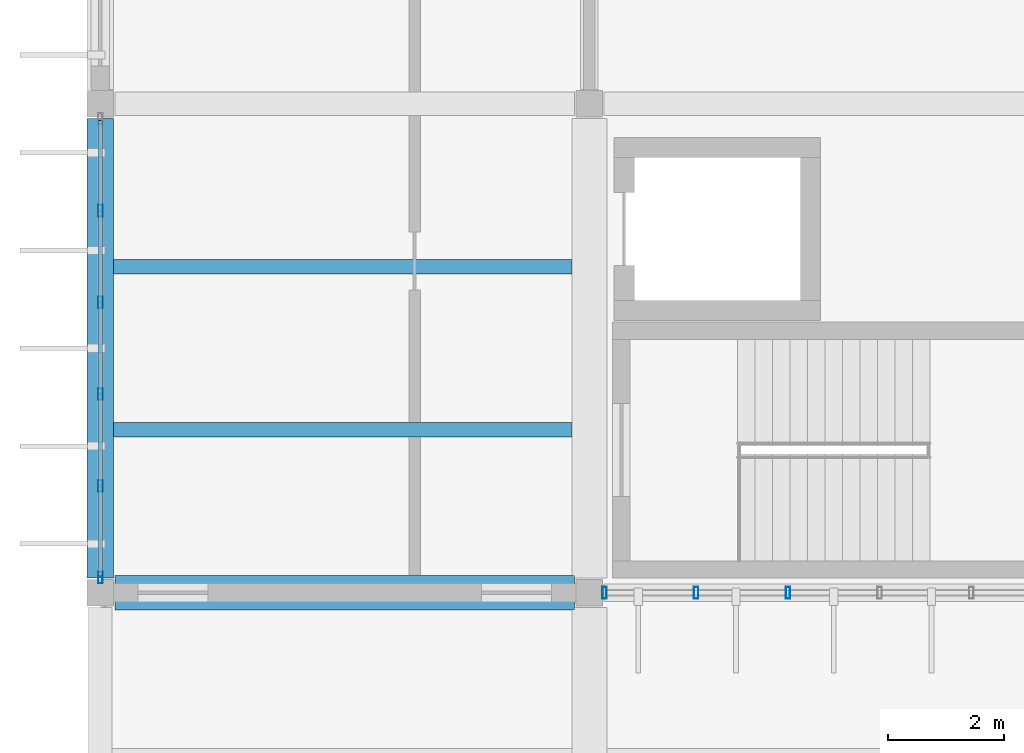
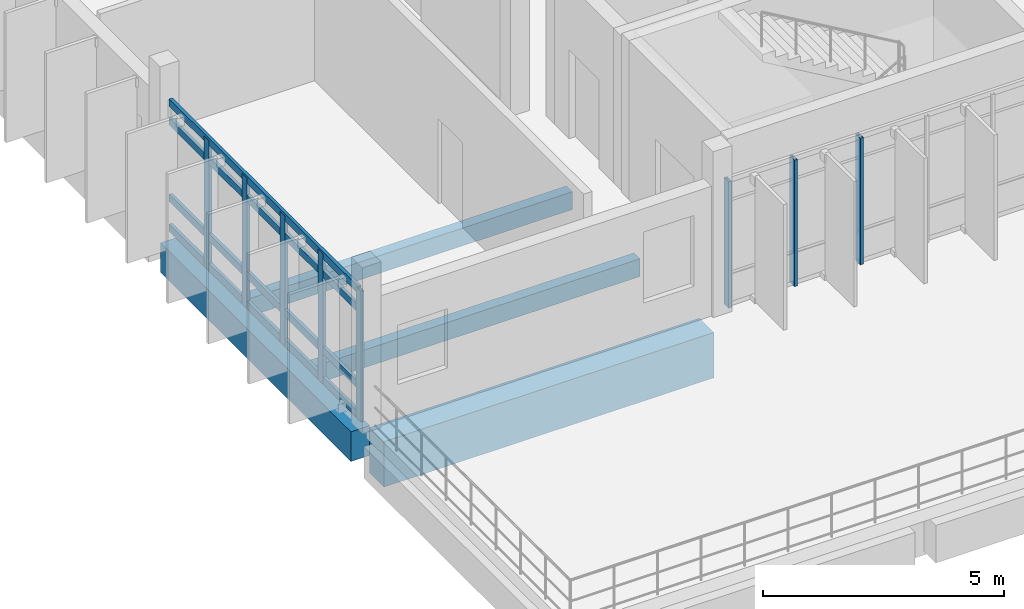
# One storey, part 2 of 62: 12 members, 4 beams, 2 elements without a shape of their own.
"""IFC4 building model written with IfcOpenShell, lengths in metres."""

from ifc_helpers import new_model, si_unit, direction, frame, origin, origin_2d, place, context, subcontext, project, spatial, rectangle, hollow_rectangle, extrude, material, layer, layer_set, material_profile, profile_set, type_object, element, aggregate, save


model = new_model("IFC4")

# Units and contexts
model_context = context("Model", 3, precision=1e-05, world=origin(), true_north=direction((0.0, 1.0)))
body_context = subcontext(model_context, "Body", "Model", "MODEL_VIEW")
ifc_project = project(units=[si_unit("LENGTHUNIT", "METRE"), si_unit("AREAUNIT", "SQUARE_METRE"), si_unit("VOLUMEUNIT", "CUBIC_METRE"), si_unit("PLANEANGLEUNIT", "RADIAN"), si_unit("MASSUNIT", "GRAM", prefix="KILO")], contexts=[model_context])

# Site, building, storey
site_placement = place(None, origin())
site = spatial("IfcSite", under=ifc_project, at=site_placement, CompositionType="ELEMENT")
building_placement = place(site_placement, origin())
building = spatial("IfcBuilding", under=site, at=building_placement, Name="Vireocrest Preparatory School", CompositionType="ELEMENT")
storey_placement = place(building_placement, frame((0.0, 0.0, 17.39990234375)))
storey = spatial("IfcBuildingStorey", under=building, at=storey_placement, Name="L04", CompositionType="ELEMENT", Elevation=17.39990234375)

# Curtain wall, members
ifc_material_1 = material(Name="Thermally broken aluminium EN AW-6063-T6", Category="aluminium")
ifc_layer_1 = layer(ifc_material_1, 0.179931640625)
ifc_layer_set_1 = layer_set([ifc_layer_1], Name="Thermally broken aluminium EN AW-6063-T6")
curtain_wall_type_1 = type_object("IfcCurtainWallType", Name="Teaching Fin Curtain Wall 8400x4200", PredefinedType="USERDEFINED", material=ifc_layer_set_1)
curtain_wall_1_placement = place(storey_placement, origin())
curtain_wall_1 = element("IfcCurtainWall", 1, at=curtain_wall_1_placement, inside=storey, type_object=curtain_wall_type_1, Name="Curtain Wall CW03 CW_L04_CW03_0420_0440_174", ObjectType="CURTAIN WALL", PredefinedType="USERDEFINED")
ifc_material_profile_1 = material_profile(ifc_material_1, hollow_rectangle(XDim=0.074951171875, YDim=0.199951171875, WallThickness=0.0048828125, at=origin_2d()), Name="ALU 75x200x5")
ifc_profile_set_1 = profile_set([ifc_material_profile_1], Name="Thermally broken aluminium EN AW-6063-T6")
member_type_1 = type_object("IfcMemberType", Name="CW Mullion 75x200x5", PredefinedType="MULLION", material=ifc_profile_set_1)
member_1_placement = place(storey_placement, frame((42.0, 44.06005859375, 0.0), z_axis=(0.0, 0.0, 1.0), x_axis=(1.0, 0.0, 0.0)))
member_1 = element("IfcMember", 2, at=member_1_placement, type_object=member_type_1, Name="CW Mullion ML3 CW_L04_CW03_0420_0440_174-1", PredefinedType="MULLION", context=body_context, shape_type="SweptSolid", body=[
    extrude(hollow_rectangle(XDim=0.074951171875, YDim=0.199951171875, WallThickness=0.0048828125, at=origin_2d()), origin(), (0.0, 0.0, 1.0), 3.30517578125),
])
member_2_placement = place(storey_placement, frame((42.0, 45.635986328125, 0.0), z_axis=(0.0, 0.0, 1.0), x_axis=(1.0, 0.0, 0.0)))
member_2 = element("IfcMember", 3, at=member_2_placement, type_object=member_type_1, Name="CW Mullion ML3 CW_L04_CW03_0420_0440_174-2", PredefinedType="MULLION", context=body_context, shape_type="SweptSolid", body=[
    extrude(hollow_rectangle(XDim=0.074951171875, YDim=0.199951171875, WallThickness=0.0048828125, at=origin_2d()), origin(), (0.0, 0.0, 1.0), 3.30517578125),
])
member_3_placement = place(storey_placement, frame((42.0, 47.2119140625, 0.0), z_axis=(0.0, 0.0, 1.0), x_axis=(1.0, 0.0, 0.0)))
member_3 = element("IfcMember", 4, at=member_3_placement, type_object=member_type_1, Name="CW Mullion ML3 CW_L04_CW03_0420_0440_174-3", PredefinedType="MULLION", context=body_context, shape_type="SweptSolid", body=[
    extrude(hollow_rectangle(XDim=0.074951171875, YDim=0.199951171875, WallThickness=0.0048828125, at=origin_2d()), origin(), (0.0, 0.0, 1.0), 3.30517578125),
])
member_4_placement = place(storey_placement, frame((42.0, 48.7880859375, 0.0), z_axis=(0.0, 0.0, 1.0), x_axis=(1.0, 0.0, 0.0)))
member_4 = element("IfcMember", 5, at=member_4_placement, type_object=member_type_1, Name="CW Mullion ML3 CW_L04_CW03_0420_0440_174-4", PredefinedType="MULLION", context=body_context, shape_type="SweptSolid", body=[
    extrude(hollow_rectangle(XDim=0.074951171875, YDim=0.199951171875, WallThickness=0.0048828125, at=origin_2d()), origin(), (0.0, 0.0, 1.0), 3.30517578125),
])
member_5_placement = place(storey_placement, frame((42.0, 50.364013671875, 0.0), z_axis=(0.0, 0.0, 1.0), x_axis=(1.0, 0.0, 0.0)))
member_5 = element("IfcMember", 6, at=member_5_placement, type_object=member_type_1, Name="CW Mullion ML3 CW_L04_CW03_0420_0440_174-5", PredefinedType="MULLION", context=body_context, shape_type="SweptSolid", body=[
    extrude(hollow_rectangle(XDim=0.074951171875, YDim=0.199951171875, WallThickness=0.0048828125, at=origin_2d()), origin(), (0.0, 0.0, 1.0), 3.30517578125),
])

ifc_layer_2 = layer(ifc_material_1, 0.179931640625)
ifc_layer_set_2 = layer_set([ifc_layer_2], Name="Thermally broken aluminium EN AW-6063-T6")
curtain_wall_type_2 = type_object("IfcCurtainWallType", Name="Stair Core Daylit Strip 4200x4200", PredefinedType="USERDEFINED", material=ifc_layer_set_2)
curtain_wall_2_placement = place(storey_placement, origin())
curtain_wall_2 = element("IfcCurtainWall", 7, at=curtain_wall_2_placement, inside=storey, type_object=curtain_wall_type_2, Name="Curtain Wall CW18 CW_L04_CW18_0506_0438_174", ObjectType="CURTAIN WALL", PredefinedType="USERDEFINED")
member_6_placement = place(storey_placement, frame((50.659912109375, 43.800048828125, 0.0), z_axis=(0.0, 0.0, 1.0), x_axis=(1.0, 0.0, 0.0)))
member_6 = element("IfcMember", 8, at=member_6_placement, type_object=member_type_1, Name="CW Mullion ML3 CW_L04_CW18_0506_0438_174-1", PredefinedType="MULLION", context=body_context, shape_type="SweptSolid", body=[
    extrude(hollow_rectangle(XDim=0.074951171875, YDim=0.199951171875, WallThickness=0.0048828125, at=origin_2d()), origin(), (0.0, 0.0, 1.0), 3.205078125),
])
member_7_placement = place(storey_placement, frame((52.236083984375, 43.800048828125, 0.0), z_axis=(0.0, 0.0, 1.0), x_axis=(1.0, 0.0, 0.0)))
member_7 = element("IfcMember", 9, at=member_7_placement, type_object=member_type_1, Name="CW Mullion ML3 CW_L04_CW18_0506_0438_174-2", PredefinedType="MULLION", context=body_context, shape_type="SweptSolid", body=[
    extrude(hollow_rectangle(XDim=0.074951171875, YDim=0.199951171875, WallThickness=0.0048828125, at=origin_2d()), origin(), (0.0, 0.0, 1.0), 3.205078125),
])
member_8_placement = place(storey_placement, frame((53.81201171875, 43.800048828125, 0.0), z_axis=(0.0, 0.0, 1.0), x_axis=(1.0, 0.0, 0.0)))
member_8 = element("IfcMember", 10, at=member_8_placement, type_object=member_type_1, Name="CW Mullion ML3 CW_L04_CW18_0506_0438_174-3", PredefinedType="MULLION", context=body_context, shape_type="SweptSolid", body=[
    extrude(hollow_rectangle(XDim=0.074951171875, YDim=0.199951171875, WallThickness=0.0048828125, at=origin_2d()), origin(), (0.0, 0.0, 1.0), 3.205078125),
])
aggregate(curtain_wall_2, [member_6, member_7, member_8])

# Member
ifc_material_profile_2 = material_profile(ifc_material_1, hollow_rectangle(XDim=0.074951171875, YDim=0.18994140625, WallThickness=0.00390625, at=origin_2d()), Name="ALU 75x190x4")
ifc_profile_set_2 = profile_set([ifc_material_profile_2], Name="Thermally broken aluminium EN AW-6063-T6")
member_type_2 = type_object("IfcMemberType", Name="CW Transom 75x190x4", PredefinedType="USERDEFINED", material=ifc_profile_set_2)
member_9_placement = place(storey_placement, frame((42.0, 44.0849609375, 0.09521484375), z_axis=(0.0, 1.0, 0.0), x_axis=(-1.0, 0.0, 0.0)))
member_9 = element("IfcMember", 11, at=member_9_placement, type_object=member_type_2, Name="CW Transom TR3 CW_L04_CW03_0420_0440_174-1", ObjectType="TRANSOM", PredefinedType="USERDEFINED", context=body_context, shape_type="SweptSolid", body=[
    extrude(hollow_rectangle(XDim=0.074951171875, YDim=0.18994140625, WallThickness=0.00390625, at=origin_2d()), origin(), (0.0, 0.0, 1.0), 7.830078125),
])

member_10_placement = place(storey_placement, frame((42.0, 44.0849609375, 0.85009765625), z_axis=(0.0, 1.0, 0.0), x_axis=(-1.0, 0.0, 0.0)))
member_10 = element("IfcMember", 12, at=member_10_placement, type_object=member_type_2, Name="CW Transom TR3 CW_L04_CW03_0420_0440_174-2", ObjectType="TRANSOM", PredefinedType="USERDEFINED", context=body_context, shape_type="SweptSolid", body=[
    extrude(hollow_rectangle(XDim=0.074951171875, YDim=0.18994140625, WallThickness=0.00390625, at=origin_2d()), origin(), (0.0, 0.0, 1.0), 7.830078125),
])

member_11_placement = place(storey_placement, frame((42.0, 44.0849609375, 2.7900390625), z_axis=(0.0, 1.0, 0.0), x_axis=(-1.0, 0.0, 0.0)))
member_11 = element("IfcMember", 13, at=member_11_placement, type_object=member_type_2, Name="CW Transom TR3 CW_L04_CW03_0420_0440_174-3", ObjectType="TRANSOM", PredefinedType="USERDEFINED", context=body_context, shape_type="SweptSolid", body=[
    extrude(hollow_rectangle(XDim=0.074951171875, YDim=0.18994140625, WallThickness=0.00390625, at=origin_2d()), origin(), (0.0, 0.0, 1.0), 7.830078125),
])

member_12_placement = place(storey_placement, frame((42.0, 44.0849609375, 3.26513671875), z_axis=(0.0, 1.0, 0.0), x_axis=(-1.0, 0.0, 0.0)))
member_12 = element("IfcMember", 14, at=member_12_placement, type_object=member_type_2, Name="CW Transom TR3 CW_L04_CW03_0420_0440_174-4", ObjectType="TRANSOM", PredefinedType="USERDEFINED", context=body_context, shape_type="SweptSolid", body=[
    extrude(hollow_rectangle(XDim=0.074951171875, YDim=0.18994140625, WallThickness=0.00390625, at=origin_2d()), origin(), (0.0, 0.0, 1.0), 7.830078125),
])

aggregate(curtain_wall_1, [member_1, member_2, member_3, member_4, member_5, member_9, member_10, member_11, member_12])

# Beams
ifc_material_2 = material(Name="Concrete 40 MPa", Category="concrete")
ifc_material_profile_3 = material_profile(ifc_material_2, rectangle(XDim=0.60009765625, YDim=1.14990234375, at=origin_2d()), Name="RC 600x1150")
ifc_profile_set_3 = profile_set([ifc_material_profile_3], Name="Concrete 40 MPa")
beam_type_1 = type_object("IfcBeamType", Name="RC Heavy Transfer Girder 600x1150", PredefinedType="BEAM", material=ifc_profile_set_3)
beam_1_placement = place(storey_placement, frame((42.25, 43.800048828125, -0.89501953125), z_axis=(1.0, 0.0, 0.0), x_axis=(0.0, 1.0, 0.0)))
element("IfcBeam", 15, at=beam_1_placement, inside=storey, type_object=beam_type_1, Name="Primary Girder B20 L04-1296", PredefinedType="BEAM", context=body_context, shape_type="SweptSolid", body=[
    extrude(rectangle(XDim=0.60009765625, YDim=1.14990234375, at=origin_2d()), origin(), (0.0, 0.0, 1.0), 7.89990234375),
])
ifc_material_profile_4 = material_profile(ifc_material_2, rectangle(XDim=0.449951171875, YDim=0.75, at=origin_2d()), Name="RC 450x750")
ifc_profile_set_4 = profile_set([ifc_material_profile_4], Name="Concrete 40 MPa")
beam_type_2 = type_object("IfcBeamType", Name="RC Library Stack Girder 450x750", PredefinedType="BEAM", material=ifc_profile_set_4)
beam_2_placement = place(storey_placement, frame((42.0, 44.050048828125, -0.614990234375), z_axis=(0.0, 1.0, 0.0), x_axis=(-1.0, 0.0, 0.0)))
element("IfcBeam", 16, at=beam_2_placement, inside=storey, type_object=beam_type_2, Name="Primary Girder B11 L04-1354", PredefinedType="BEAM", context=body_context, shape_type="SweptSolid", body=[
    extrude(rectangle(XDim=0.449951171875, YDim=0.75, at=origin_2d()), origin(), (0.0, 0.0, 1.0), 7.89990234375),
])
ifc_material_profile_5 = material_profile(ifc_material_2, rectangle(XDim=0.25, YDim=0.449951171875, at=origin_2d()), Name="RC 250x450")
ifc_profile_set_5 = profile_set([ifc_material_profile_5], Name="Concrete 40 MPa")
beam_type_3 = type_object("IfcBeamType", Name="RC Secondary Floor Joist 250x450", PredefinedType="JOIST", material=ifc_profile_set_5)
for number, where, z_axis, x_axis, name in (
    (17, (42.22509765625, 46.60009765625, -0.46484375), (1.0, 0.0, 0.0), (0.0, 1.0, 0.0), "Secondary Joist J01 L04-1423"),
    (18, (42.22509765625, 49.39990234375, -0.46484375), (1.0, 0.0, 0.0), (0.0, 1.0, 0.0), "Secondary Joist J01 L04-1424"),
):
    element("IfcBeam", number, at=place(storey_placement, frame(where, z_axis=z_axis, x_axis=x_axis)), inside=storey, type_object=beam_type_3, Name=name, PredefinedType="JOIST", context=body_context, shape_type="SweptSolid", body=[
        extrude(rectangle(XDim=0.25, YDim=0.449951171875, at=origin_2d()), origin(), (0.0, 0.0, 1.0), 7.875),
    ])

save(model, "model.ifc")
